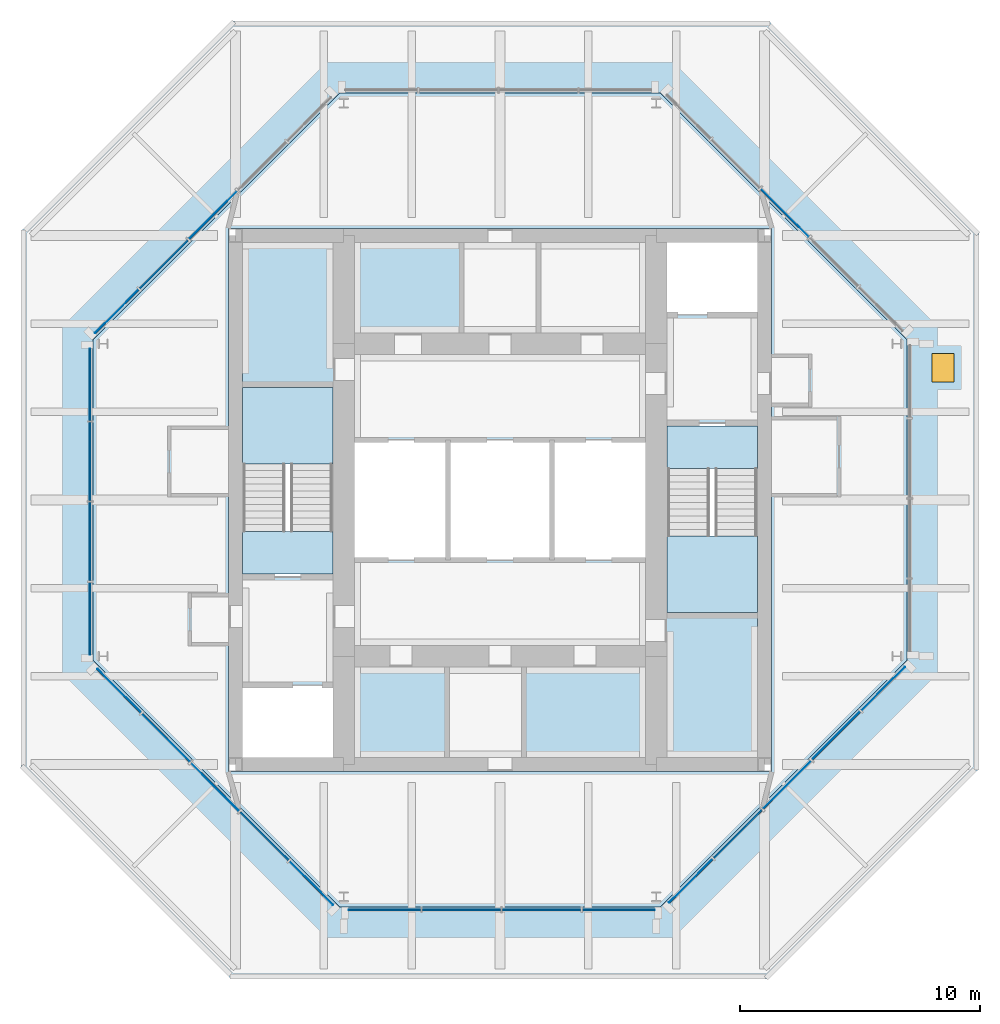
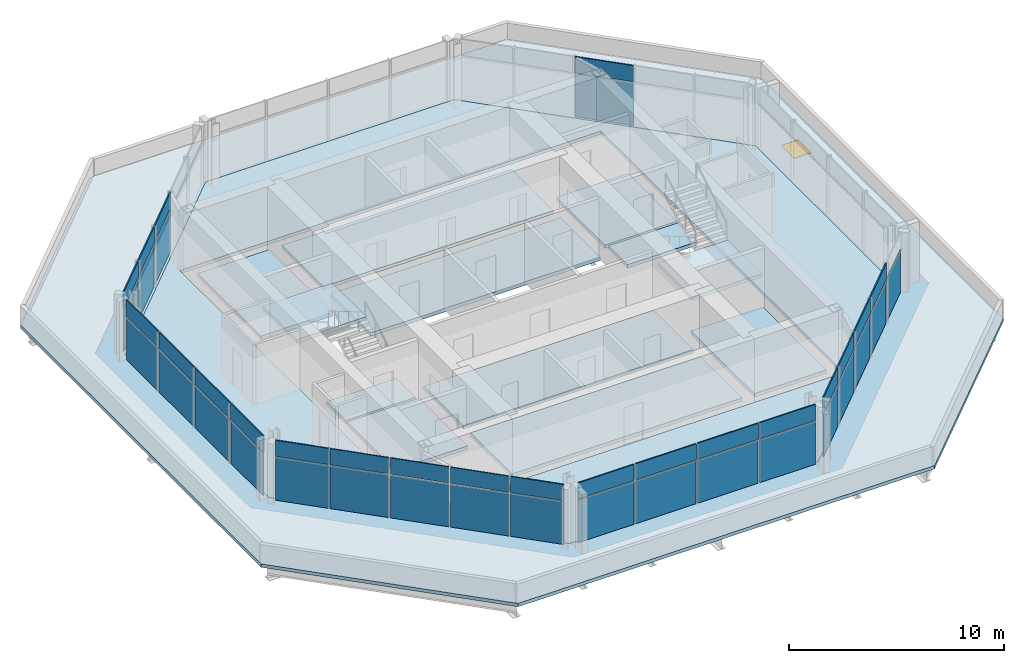
# One storey, part 6 of 10: 43 plates, 14 slabs, 1 window, 1 opening, 8 elements without a shape of their own.
"""IFC4 building model written with IfcOpenShell, lengths in metres."""

from ifc_helpers import new_model, si_unit, direction, frame, origin, origin_2d, place, context, subcontext, project, spatial, polyline, rectangle, outline, extrude, material, layer, layer_set, type_object, element, fill, aggregate, save


model = new_model("IFC4")

# Units and contexts
model_context = context("Model", 3, precision=1e-05, world=origin(), true_north=direction((0.0, 1.0)))
body_context = subcontext(model_context, "Body", "Model", "MODEL_VIEW")
ifc_project = project(units=[si_unit("LENGTHUNIT", "METRE"), si_unit("AREAUNIT", "SQUARE_METRE"), si_unit("VOLUMEUNIT", "CUBIC_METRE"), si_unit("PLANEANGLEUNIT", "RADIAN"), si_unit("MASSUNIT", "GRAM", prefix="KILO")], contexts=[model_context])

# Site, building, storey
site_placement = place(None, origin())
site = spatial("IfcSite", under=ifc_project, at=site_placement, CompositionType="ELEMENT")
building_placement = place(site_placement, origin())
building = spatial("IfcBuilding", under=site, at=building_placement, Name="Trevanion Tower", CompositionType="ELEMENT")
storey_placement = place(building_placement, frame((0.0, 0.0, 263.199951171875)))
storey = spatial("IfcBuildingStorey", under=building, at=storey_placement, Name="L64", CompositionType="ELEMENT", Elevation=263.199951171875)

# Curtain wall, plate
ifc_material_1 = material(Name="Aluminium and glass", Category="aluminium")
curtain_wall_type = type_object("IfcCurtainWallType", Name="CW4 curtain wall", PredefinedType="USERDEFINED", material=ifc_material_1)
curtain_wall_1_placement = place(storey_placement, origin())
curtain_wall_1 = element("IfcCurtainWall", 1, at=curtain_wall_1_placement, inside=storey, type_object=curtain_wall_type, Name="CW4 L64 1", ObjectType="UNITISED CURTAIN WALL", PredefinedType="USERDEFINED")
ifc_material_2 = material(Name="Aluminium spandrel panel", Category="aluminium")
ifc_layer_1 = layer(ifc_material_2, 0.06005859375)
ifc_layer_set_1 = layer_set([ifc_layer_1], Name="CW4 spandrel panel")
plate_type_1 = type_object("IfcPlateType", Name="CW4 spandrel panel", PredefinedType="CURTAIN_PANEL", material=ifc_layer_set_1)
plate_1_placement = place(storey_placement, frame((11.843017578125, 11.934814453125, 2.49755859375), z_axis=(0.0, 0.0, 1.0), x_axis=(-0.707106781187, 0.707106781187, 0.0)))
plate_1 = element("IfcPlate", 2, at=plate_1_placement, type_object=plate_type_1, Name="CW4 panel 3.2", PredefinedType="CURTAIN_PANEL", context=body_context, shape_type="SweptSolid", body=[
    extrude(rectangle(XDim=2.818603515625, YDim=0.06005859375, at=origin_2d()), origin(), (0.0, 0.0, 1.0), 0.91259765625),
])

# Curtain wall, plates
curtain_wall_2_placement = place(storey_placement, origin())
curtain_wall_2 = element("IfcCurtainWall", 3, at=curtain_wall_2_placement, inside=storey, type_object=curtain_wall_type, Name="CW4 L64 3", ObjectType="UNITISED CURTAIN WALL", PredefinedType="USERDEFINED")
plate_2_placement = place(storey_placement, frame((-11.934814453125, 11.843017578125, 2.49755859375), z_axis=(0.0, 0.0, 1.0), x_axis=(-0.707106781187, -0.707106781187, 0.0)))
plate_2 = element("IfcPlate", 4, at=plate_2_placement, type_object=plate_type_1, Name="CW4 panel 3.2", PredefinedType="CURTAIN_PANEL", context=body_context, shape_type="SweptSolid", body=[
    extrude(rectangle(XDim=2.818603515625, YDim=0.06005859375, at=origin_2d()), origin(), (0.0, 0.0, 1.0), 0.91259765625),
])
plate_3_placement = place(storey_placement, frame((-13.98095703125, 9.796875, 2.49755859375), z_axis=(0.0, 0.0, 1.0), x_axis=(-0.707106781187, -0.707106781187, 0.0)))
plate_3 = element("IfcPlate", 5, at=plate_3_placement, type_object=plate_type_1, Name="CW4 panel 4.2", PredefinedType="CURTAIN_PANEL", context=body_context, shape_type="SweptSolid", body=[
    extrude(rectangle(XDim=2.818603515625, YDim=0.06005859375, at=origin_2d()), origin(), (0.0, 0.0, 1.0), 0.91259765625),
])
plate_4_placement = place(storey_placement, frame((-15.93408203125, 7.84375, 2.49755859375), z_axis=(0.0, 0.0, 1.0), x_axis=(-0.707106781187, -0.707106781187, 0.0)))
plate_4 = element("IfcPlate", 6, at=plate_4_placement, type_object=plate_type_1, Name="CW4 panel 5.2", PredefinedType="CURTAIN_PANEL", context=body_context, shape_type="SweptSolid", body=[
    extrude(rectangle(XDim=2.55615234375, YDim=0.06005859375, at=origin_2d()), origin(), (0.0, 0.0, 1.0), 0.91259765625),
])

curtain_wall_3_placement = place(storey_placement, origin())
curtain_wall_3 = element("IfcCurtainWall", 7, at=curtain_wall_3_placement, inside=storey, type_object=curtain_wall_type, Name="CW4 L64 4", ObjectType="UNITISED CURTAIN WALL", PredefinedType="USERDEFINED")
plate_5_placement = place(storey_placement, frame((-17.050048828125, 4.80078125, 2.49755859375), z_axis=(0.0, 0.0, 1.0), x_axis=(0.0, -1.0, 0.0)))
plate_5 = element("IfcPlate", 8, at=plate_5_placement, type_object=plate_type_1, Name="CW4 panel 1.2", PredefinedType="CURTAIN_PANEL", context=body_context, shape_type="SweptSolid", body=[
    extrude(rectangle(XDim=2.993896484375, YDim=0.06005859375, at=origin_2d()), origin(), (0.0, 0.0, 1.0), 0.91259765625),
])
plate_6_placement = place(storey_placement, frame((-17.050048828125, 1.6005859375, 2.49755859375), z_axis=(0.0, 0.0, 1.0), x_axis=(0.0, -1.0, 0.0)))
plate_6 = element("IfcPlate", 9, at=plate_6_placement, type_object=plate_type_1, Name="CW4 panel 2.2", PredefinedType="CURTAIN_PANEL", context=body_context, shape_type="SweptSolid", body=[
    extrude(rectangle(XDim=3.25634765625, YDim=0.06005859375, at=origin_2d()), origin(), (0.0, 0.0, 1.0), 0.91259765625),
])
plate_7_placement = place(storey_placement, frame((-17.050048828125, -1.730712890625, 2.49755859375), z_axis=(0.0, 0.0, 1.0), x_axis=(0.0, -1.0, 0.0)))
plate_7 = element("IfcPlate", 10, at=plate_7_placement, type_object=plate_type_1, Name="CW4 panel 3.2", PredefinedType="CURTAIN_PANEL", context=body_context, shape_type="SweptSolid", body=[
    extrude(rectangle(XDim=3.25634765625, YDim=0.06005859375, at=origin_2d()), origin(), (0.0, 0.0, 1.0), 0.91259765625),
])
plate_8_placement = place(storey_placement, frame((-17.050048828125, -4.930908203125, 2.49755859375), z_axis=(0.0, 0.0, 1.0), x_axis=(0.0, -1.0, 0.0)))
plate_8 = element("IfcPlate", 11, at=plate_8_placement, type_object=plate_type_1, Name="CW4 panel 4.2", PredefinedType="CURTAIN_PANEL", context=body_context, shape_type="SweptSolid", body=[
    extrude(rectangle(XDim=2.993896484375, YDim=0.06005859375, at=origin_2d()), origin(), (0.0, 0.0, 1.0), 0.91259765625),
])

curtain_wall_4_placement = place(storey_placement, origin())
curtain_wall_4 = element("IfcCurtainWall", 12, at=curtain_wall_4_placement, inside=storey, type_object=curtain_wall_type, Name="CW4 L64 5", ObjectType="UNITISED CURTAIN WALL", PredefinedType="USERDEFINED")
plate_9_placement = place(storey_placement, frame((-15.84228515625, -7.935546875, 2.49755859375), z_axis=(0.0, 0.0, 1.0), x_axis=(0.707106781187, -0.707106781187, 0.0)))
plate_9 = element("IfcPlate", 13, at=plate_9_placement, type_object=plate_type_1, Name="CW4 panel 1.2", PredefinedType="CURTAIN_PANEL", context=body_context, shape_type="SweptSolid", body=[
    extrude(rectangle(XDim=2.55615234375, YDim=0.06005859375, at=origin_2d()), origin(), (0.0, 0.0, 1.0), 0.91259765625),
])
plate_10_placement = place(storey_placement, frame((-13.888916015625, -9.888916015625, 2.49755859375), z_axis=(0.0, 0.0, 1.0), x_axis=(0.707106781187, -0.707106781187, 0.0)))
plate_10 = element("IfcPlate", 14, at=plate_10_placement, type_object=plate_type_1, Name="CW4 panel 2.2", PredefinedType="CURTAIN_PANEL", context=body_context, shape_type="SweptSolid", body=[
    extrude(rectangle(XDim=2.818603515625, YDim=0.06005859375, at=origin_2d()), origin(), (0.0, 0.0, 1.0), 0.91259765625),
])
plate_11_placement = place(storey_placement, frame((-11.843017578125, -11.934814453125, 2.49755859375), z_axis=(0.0, 0.0, 1.0), x_axis=(0.707106781187, -0.707106781187, 0.0)))
plate_11 = element("IfcPlate", 15, at=plate_11_placement, type_object=plate_type_1, Name="CW4 panel 3.2", PredefinedType="CURTAIN_PANEL", context=body_context, shape_type="SweptSolid", body=[
    extrude(rectangle(XDim=2.818603515625, YDim=0.06005859375, at=origin_2d()), origin(), (0.0, 0.0, 1.0), 0.91259765625),
])
plate_12_placement = place(storey_placement, frame((-9.796875, -13.98095703125, 2.49755859375), z_axis=(0.0, 0.0, 1.0), x_axis=(0.707106781187, -0.707106781187, 0.0)))
plate_12 = element("IfcPlate", 16, at=plate_12_placement, type_object=plate_type_1, Name="CW4 panel 4.2", PredefinedType="CURTAIN_PANEL", context=body_context, shape_type="SweptSolid", body=[
    extrude(rectangle(XDim=2.818603515625, YDim=0.06005859375, at=origin_2d()), origin(), (0.0, 0.0, 1.0), 0.91259765625),
])
plate_13_placement = place(storey_placement, frame((-7.84375, -15.93408203125, 2.49755859375), z_axis=(0.0, 0.0, 1.0), x_axis=(0.707106781187, -0.707106781187, 0.0)))
plate_13 = element("IfcPlate", 17, at=plate_13_placement, type_object=plate_type_1, Name="CW4 panel 5.2", PredefinedType="CURTAIN_PANEL", context=body_context, shape_type="SweptSolid", body=[
    extrude(rectangle(XDim=2.55615234375, YDim=0.06005859375, at=origin_2d()), origin(), (0.0, 0.0, 1.0), 0.91259765625),
])

curtain_wall_5_placement = place(storey_placement, origin())
curtain_wall_5 = element("IfcCurtainWall", 18, at=curtain_wall_5_placement, inside=storey, type_object=curtain_wall_type, Name="CW4 L64 6", ObjectType="UNITISED CURTAIN WALL", PredefinedType="USERDEFINED")
plate_14_placement = place(storey_placement, frame((-4.80078125, -17.050048828125, 2.49755859375), z_axis=(0.0, 0.0, 1.0), x_axis=(1.0, 0.0, 0.0)))
plate_14 = element("IfcPlate", 19, at=plate_14_placement, type_object=plate_type_1, Name="CW4 panel 1.2", PredefinedType="CURTAIN_PANEL", context=body_context, shape_type="SweptSolid", body=[
    extrude(rectangle(XDim=2.993896484375, YDim=0.06005859375, at=origin_2d()), origin(), (0.0, 0.0, 1.0), 0.91259765625),
])
plate_15_placement = place(storey_placement, frame((-1.6005859375, -17.050048828125, 2.49755859375), z_axis=(0.0, 0.0, 1.0), x_axis=(1.0, 0.0, 0.0)))
plate_15 = element("IfcPlate", 20, at=plate_15_placement, type_object=plate_type_1, Name="CW4 panel 2.2", PredefinedType="CURTAIN_PANEL", context=body_context, shape_type="SweptSolid", body=[
    extrude(rectangle(XDim=3.25634765625, YDim=0.06005859375, at=origin_2d()), origin(), (0.0, 0.0, 1.0), 0.91259765625),
])
plate_16_placement = place(storey_placement, frame((1.730712890625, -17.050048828125, 2.49755859375), z_axis=(0.0, 0.0, 1.0), x_axis=(1.0, 0.0, 0.0)))
plate_16 = element("IfcPlate", 21, at=plate_16_placement, type_object=plate_type_1, Name="CW4 panel 3.2", PredefinedType="CURTAIN_PANEL", context=body_context, shape_type="SweptSolid", body=[
    extrude(rectangle(XDim=3.25634765625, YDim=0.06005859375, at=origin_2d()), origin(), (0.0, 0.0, 1.0), 0.91259765625),
])
plate_17_placement = place(storey_placement, frame((4.930908203125, -17.050048828125, 2.49755859375), z_axis=(0.0, 0.0, 1.0), x_axis=(1.0, 0.0, 0.0)))
plate_17 = element("IfcPlate", 22, at=plate_17_placement, type_object=plate_type_1, Name="CW4 panel 4.2", PredefinedType="CURTAIN_PANEL", context=body_context, shape_type="SweptSolid", body=[
    extrude(rectangle(XDim=2.993896484375, YDim=0.06005859375, at=origin_2d()), origin(), (0.0, 0.0, 1.0), 0.91259765625),
])

curtain_wall_6_placement = place(storey_placement, origin())
curtain_wall_6 = element("IfcCurtainWall", 23, at=curtain_wall_6_placement, inside=storey, type_object=curtain_wall_type, Name="CW4 L64 7", ObjectType="UNITISED CURTAIN WALL", PredefinedType="USERDEFINED")
plate_18_placement = place(storey_placement, frame((7.935546875, -15.84228515625, 2.49755859375), z_axis=(0.0, 0.0, 1.0), x_axis=(0.707106781187, 0.707106781187, 0.0)))
plate_18 = element("IfcPlate", 24, at=plate_18_placement, type_object=plate_type_1, Name="CW4 panel 1.2", PredefinedType="CURTAIN_PANEL", context=body_context, shape_type="SweptSolid", body=[
    extrude(rectangle(XDim=2.55615234375, YDim=0.06005859375, at=origin_2d()), origin(), (0.0, 0.0, 1.0), 0.91259765625),
])
plate_19_placement = place(storey_placement, frame((9.888916015625, -13.888916015625, 2.49755859375), z_axis=(0.0, 0.0, 1.0), x_axis=(0.707106781187, 0.707106781187, 0.0)))
plate_19 = element("IfcPlate", 25, at=plate_19_placement, type_object=plate_type_1, Name="CW4 panel 2.2", PredefinedType="CURTAIN_PANEL", context=body_context, shape_type="SweptSolid", body=[
    extrude(rectangle(XDim=2.818603515625, YDim=0.06005859375, at=origin_2d()), origin(), (0.0, 0.0, 1.0), 0.91259765625),
])
plate_20_placement = place(storey_placement, frame((11.934814453125, -11.843017578125, 2.49755859375), z_axis=(0.0, 0.0, 1.0), x_axis=(0.707106781187, 0.707106781187, 0.0)))
plate_20 = element("IfcPlate", 26, at=plate_20_placement, type_object=plate_type_1, Name="CW4 panel 3.2", PredefinedType="CURTAIN_PANEL", context=body_context, shape_type="SweptSolid", body=[
    extrude(rectangle(XDim=2.818603515625, YDim=0.06005859375, at=origin_2d()), origin(), (0.0, 0.0, 1.0), 0.91259765625),
])
plate_21_placement = place(storey_placement, frame((13.98095703125, -9.796875, 2.49755859375), z_axis=(0.0, 0.0, 1.0), x_axis=(0.707106781187, 0.707106781187, 0.0)))
plate_21 = element("IfcPlate", 27, at=plate_21_placement, type_object=plate_type_1, Name="CW4 panel 4.2", PredefinedType="CURTAIN_PANEL", context=body_context, shape_type="SweptSolid", body=[
    extrude(rectangle(XDim=2.818603515625, YDim=0.06005859375, at=origin_2d()), origin(), (0.0, 0.0, 1.0), 0.91259765625),
])

# Plate
ifc_material_3 = material(Name="Insulating glass unit", Category="glass")
ifc_layer_2 = layer(ifc_material_3, 0.028076171875)
ifc_layer_set_2 = layer_set([ifc_layer_2], Name="CW4 vision panel")
plate_type_2 = type_object("IfcPlateType", Name="CW4 vision panel", PredefinedType="CURTAIN_PANEL", material=ifc_layer_set_2)
plate_22_placement = place(storey_placement, frame((11.843017578125, 11.934814453125, -0.114990234375), z_axis=(0.0, 0.0, 1.0), x_axis=(-0.707106781187, 0.707106781187, 0.0)))
plate_22 = element("IfcPlate", 28, at=plate_22_placement, type_object=plate_type_2, Name="CW4 panel 3.1", PredefinedType="CURTAIN_PANEL", context=body_context, shape_type="SweptSolid", body=[
    extrude(rectangle(XDim=2.818603515625, YDim=0.028076171875, at=origin_2d()), origin(), (0.0, 0.0, 1.0), 2.53759765625),
])

aggregate(curtain_wall_1, [plate_22, plate_1])

plate_23_placement = place(storey_placement, frame((-11.934814453125, 11.843017578125, -0.114990234375), z_axis=(0.0, 0.0, 1.0), x_axis=(-0.707106781187, -0.707106781187, 0.0)))
plate_23 = element("IfcPlate", 29, at=plate_23_placement, type_object=plate_type_2, Name="CW4 panel 3.1", PredefinedType="CURTAIN_PANEL", context=body_context, shape_type="SweptSolid", body=[
    extrude(rectangle(XDim=2.818603515625, YDim=0.028076171875, at=origin_2d()), origin(), (0.0, 0.0, 1.0), 2.53759765625),
])

plate_24_placement = place(storey_placement, frame((-13.98095703125, 9.796875, -0.114990234375), z_axis=(0.0, 0.0, 1.0), x_axis=(-0.707106781187, -0.707106781187, 0.0)))
plate_24 = element("IfcPlate", 30, at=plate_24_placement, type_object=plate_type_2, Name="CW4 panel 4.1", PredefinedType="CURTAIN_PANEL", context=body_context, shape_type="SweptSolid", body=[
    extrude(rectangle(XDim=2.818603515625, YDim=0.028076171875, at=origin_2d()), origin(), (0.0, 0.0, 1.0), 2.53759765625),
])

plate_25_placement = place(storey_placement, frame((-15.93408203125, 7.84375, -0.114990234375), z_axis=(0.0, 0.0, 1.0), x_axis=(-0.707106781187, -0.707106781187, 0.0)))
plate_25 = element("IfcPlate", 31, at=plate_25_placement, type_object=plate_type_2, Name="CW4 panel 5.1", PredefinedType="CURTAIN_PANEL", context=body_context, shape_type="SweptSolid", body=[
    extrude(rectangle(XDim=2.55615234375, YDim=0.028076171875, at=origin_2d()), origin(), (0.0, 0.0, 1.0), 2.53759765625),
])

aggregate(curtain_wall_2, [plate_23, plate_2, plate_24, plate_3, plate_25, plate_4])

plate_26_placement = place(storey_placement, frame((-17.050048828125, 4.80078125, -0.114990234375), z_axis=(0.0, 0.0, 1.0), x_axis=(0.0, -1.0, 0.0)))
plate_26 = element("IfcPlate", 32, at=plate_26_placement, type_object=plate_type_2, Name="CW4 panel 1.1", PredefinedType="CURTAIN_PANEL", context=body_context, shape_type="SweptSolid", body=[
    extrude(rectangle(XDim=2.993896484375, YDim=0.028076171875, at=origin_2d()), origin(), (0.0, 0.0, 1.0), 2.53759765625),
])

plate_27_placement = place(storey_placement, frame((-17.050048828125, 1.6005859375, -0.114990234375), z_axis=(0.0, 0.0, 1.0), x_axis=(0.0, -1.0, 0.0)))
plate_27 = element("IfcPlate", 33, at=plate_27_placement, type_object=plate_type_2, Name="CW4 panel 2.1", PredefinedType="CURTAIN_PANEL", context=body_context, shape_type="SweptSolid", body=[
    extrude(rectangle(XDim=3.25634765625, YDim=0.028076171875, at=origin_2d()), origin(), (0.0, 0.0, 1.0), 2.53759765625),
])

plate_28_placement = place(storey_placement, frame((-17.050048828125, -1.730712890625, -0.114990234375), z_axis=(0.0, 0.0, 1.0), x_axis=(0.0, -1.0, 0.0)))
plate_28 = element("IfcPlate", 34, at=plate_28_placement, type_object=plate_type_2, Name="CW4 panel 3.1", PredefinedType="CURTAIN_PANEL", context=body_context, shape_type="SweptSolid", body=[
    extrude(rectangle(XDim=3.25634765625, YDim=0.028076171875, at=origin_2d()), origin(), (0.0, 0.0, 1.0), 2.53759765625),
])

plate_29_placement = place(storey_placement, frame((-17.050048828125, -4.930908203125, -0.114990234375), z_axis=(0.0, 0.0, 1.0), x_axis=(0.0, -1.0, 0.0)))
plate_29 = element("IfcPlate", 35, at=plate_29_placement, type_object=plate_type_2, Name="CW4 panel 4.1", PredefinedType="CURTAIN_PANEL", context=body_context, shape_type="SweptSolid", body=[
    extrude(rectangle(XDim=2.993896484375, YDim=0.028076171875, at=origin_2d()), origin(), (0.0, 0.0, 1.0), 2.53759765625),
])

aggregate(curtain_wall_3, [plate_26, plate_5, plate_27, plate_6, plate_28, plate_7, plate_29, plate_8])

plate_30_placement = place(storey_placement, frame((-15.84228515625, -7.935546875, -0.114990234375), z_axis=(0.0, 0.0, 1.0), x_axis=(0.707106781187, -0.707106781187, 0.0)))
plate_30 = element("IfcPlate", 36, at=plate_30_placement, type_object=plate_type_2, Name="CW4 panel 1.1", PredefinedType="CURTAIN_PANEL", context=body_context, shape_type="SweptSolid", body=[
    extrude(rectangle(XDim=2.55615234375, YDim=0.028076171875, at=origin_2d()), origin(), (0.0, 0.0, 1.0), 2.53759765625),
])

plate_31_placement = place(storey_placement, frame((-13.888916015625, -9.888916015625, -0.114990234375), z_axis=(0.0, 0.0, 1.0), x_axis=(0.707106781187, -0.707106781187, 0.0)))
plate_31 = element("IfcPlate", 37, at=plate_31_placement, type_object=plate_type_2, Name="CW4 panel 2.1", PredefinedType="CURTAIN_PANEL", context=body_context, shape_type="SweptSolid", body=[
    extrude(rectangle(XDim=2.818603515625, YDim=0.028076171875, at=origin_2d()), origin(), (0.0, 0.0, 1.0), 2.53759765625),
])

plate_32_placement = place(storey_placement, frame((-11.843017578125, -11.934814453125, -0.114990234375), z_axis=(0.0, 0.0, 1.0), x_axis=(0.707106781187, -0.707106781187, 0.0)))
plate_32 = element("IfcPlate", 38, at=plate_32_placement, type_object=plate_type_2, Name="CW4 panel 3.1", PredefinedType="CURTAIN_PANEL", context=body_context, shape_type="SweptSolid", body=[
    extrude(rectangle(XDim=2.818603515625, YDim=0.028076171875, at=origin_2d()), origin(), (0.0, 0.0, 1.0), 2.53759765625),
])

plate_33_placement = place(storey_placement, frame((-9.796875, -13.98095703125, -0.114990234375), z_axis=(0.0, 0.0, 1.0), x_axis=(0.707106781187, -0.707106781187, 0.0)))
plate_33 = element("IfcPlate", 39, at=plate_33_placement, type_object=plate_type_2, Name="CW4 panel 4.1", PredefinedType="CURTAIN_PANEL", context=body_context, shape_type="SweptSolid", body=[
    extrude(rectangle(XDim=2.818603515625, YDim=0.028076171875, at=origin_2d()), origin(), (0.0, 0.0, 1.0), 2.53759765625),
])

plate_34_placement = place(storey_placement, frame((-7.84375, -15.93408203125, -0.114990234375), z_axis=(0.0, 0.0, 1.0), x_axis=(0.707106781187, -0.707106781187, 0.0)))
plate_34 = element("IfcPlate", 40, at=plate_34_placement, type_object=plate_type_2, Name="CW4 panel 5.1", PredefinedType="CURTAIN_PANEL", context=body_context, shape_type="SweptSolid", body=[
    extrude(rectangle(XDim=2.55615234375, YDim=0.028076171875, at=origin_2d()), origin(), (0.0, 0.0, 1.0), 2.53759765625),
])

aggregate(curtain_wall_4, [plate_30, plate_9, plate_31, plate_10, plate_32, plate_11, plate_33, plate_12, plate_34, plate_13])

plate_35_placement = place(storey_placement, frame((-4.80078125, -17.050048828125, -0.114990234375), z_axis=(0.0, 0.0, 1.0), x_axis=(1.0, 0.0, 0.0)))
plate_35 = element("IfcPlate", 41, at=plate_35_placement, type_object=plate_type_2, Name="CW4 panel 1.1", PredefinedType="CURTAIN_PANEL", context=body_context, shape_type="SweptSolid", body=[
    extrude(rectangle(XDim=2.993896484375, YDim=0.028076171875, at=origin_2d()), origin(), (0.0, 0.0, 1.0), 2.53759765625),
])

plate_36_placement = place(storey_placement, frame((-1.6005859375, -17.050048828125, -0.114990234375), z_axis=(0.0, 0.0, 1.0), x_axis=(1.0, 0.0, 0.0)))
plate_36 = element("IfcPlate", 42, at=plate_36_placement, type_object=plate_type_2, Name="CW4 panel 2.1", PredefinedType="CURTAIN_PANEL", context=body_context, shape_type="SweptSolid", body=[
    extrude(rectangle(XDim=3.25634765625, YDim=0.028076171875, at=origin_2d()), origin(), (0.0, 0.0, 1.0), 2.53759765625),
])

plate_37_placement = place(storey_placement, frame((1.730712890625, -17.050048828125, -0.114990234375), z_axis=(0.0, 0.0, 1.0), x_axis=(1.0, 0.0, 0.0)))
plate_37 = element("IfcPlate", 43, at=plate_37_placement, type_object=plate_type_2, Name="CW4 panel 3.1", PredefinedType="CURTAIN_PANEL", context=body_context, shape_type="SweptSolid", body=[
    extrude(rectangle(XDim=3.25634765625, YDim=0.028076171875, at=origin_2d()), origin(), (0.0, 0.0, 1.0), 2.53759765625),
])

plate_38_placement = place(storey_placement, frame((4.930908203125, -17.050048828125, -0.114990234375), z_axis=(0.0, 0.0, 1.0), x_axis=(1.0, 0.0, 0.0)))
plate_38 = element("IfcPlate", 44, at=plate_38_placement, type_object=plate_type_2, Name="CW4 panel 4.1", PredefinedType="CURTAIN_PANEL", context=body_context, shape_type="SweptSolid", body=[
    extrude(rectangle(XDim=2.993896484375, YDim=0.028076171875, at=origin_2d()), origin(), (0.0, 0.0, 1.0), 2.53759765625),
])

aggregate(curtain_wall_5, [plate_35, plate_14, plate_36, plate_15, plate_37, plate_16, plate_38, plate_17])

plate_39_placement = place(storey_placement, frame((7.935546875, -15.84228515625, -0.114990234375), z_axis=(0.0, 0.0, 1.0), x_axis=(0.707106781187, 0.707106781187, 0.0)))
plate_39 = element("IfcPlate", 45, at=plate_39_placement, type_object=plate_type_2, Name="CW4 panel 1.1", PredefinedType="CURTAIN_PANEL", context=body_context, shape_type="SweptSolid", body=[
    extrude(rectangle(XDim=2.55615234375, YDim=0.028076171875, at=origin_2d()), origin(), (0.0, 0.0, 1.0), 2.53759765625),
])

plate_40_placement = place(storey_placement, frame((9.888916015625, -13.888916015625, -0.114990234375), z_axis=(0.0, 0.0, 1.0), x_axis=(0.707106781187, 0.707106781187, 0.0)))
plate_40 = element("IfcPlate", 46, at=plate_40_placement, type_object=plate_type_2, Name="CW4 panel 2.1", PredefinedType="CURTAIN_PANEL", context=body_context, shape_type="SweptSolid", body=[
    extrude(rectangle(XDim=2.818603515625, YDim=0.028076171875, at=origin_2d()), origin(), (0.0, 0.0, 1.0), 2.53759765625),
])

plate_41_placement = place(storey_placement, frame((11.934814453125, -11.843017578125, -0.114990234375), z_axis=(0.0, 0.0, 1.0), x_axis=(0.707106781187, 0.707106781187, 0.0)))
plate_41 = element("IfcPlate", 47, at=plate_41_placement, type_object=plate_type_2, Name="CW4 panel 3.1", PredefinedType="CURTAIN_PANEL", context=body_context, shape_type="SweptSolid", body=[
    extrude(rectangle(XDim=2.818603515625, YDim=0.028076171875, at=origin_2d()), origin(), (0.0, 0.0, 1.0), 2.53759765625),
])

plate_42_placement = place(storey_placement, frame((13.98095703125, -9.796875, -0.114990234375), z_axis=(0.0, 0.0, 1.0), x_axis=(0.707106781187, 0.707106781187, 0.0)))
plate_42 = element("IfcPlate", 48, at=plate_42_placement, type_object=plate_type_2, Name="CW4 panel 4.1", PredefinedType="CURTAIN_PANEL", context=body_context, shape_type="SweptSolid", body=[
    extrude(rectangle(XDim=2.818603515625, YDim=0.028076171875, at=origin_2d()), origin(), (0.0, 0.0, 1.0), 2.53759765625),
])

plate_43_placement = place(storey_placement, frame((15.93408203125, -7.84375, -0.114990234375), z_axis=(0.0, 0.0, 1.0), x_axis=(0.707106781187, 0.707106781187, 0.0)))
plate_43 = element("IfcPlate", 49, at=plate_43_placement, type_object=plate_type_2, Name="CW4 panel 5.1", PredefinedType="CURTAIN_PANEL", context=body_context, shape_type="SweptSolid", body=[
    extrude(rectangle(XDim=2.55615234375, YDim=0.028076171875, at=origin_2d()), origin(), (0.0, 0.0, 1.0), 2.53759765625),
])

aggregate(curtain_wall_6, [plate_39, plate_18, plate_40, plate_19, plate_41, plate_20, plate_42, plate_21, plate_43])

# Slab, opening, window
ifc_material_4 = material(Name="Concrete 5,000 psi on composite metal deck", Category="concrete")
ifc_layer_3 = layer(ifc_material_4, 0.18994140625)
ifc_layer_set_3 = layer_set([ifc_layer_3], Name="RS1 composite roof 190")
slab_type_1 = type_object("IfcSlabType", Name="RS1 composite roof 190", PredefinedType="ROOF", material=ifc_layer_set_3)
slab_1_placement = place(storey_placement, frame((0.0, 0.0, -0.18994140625)))
slab_1 = element("IfcSlab", 50, at=slab_1_placement, inside=storey, type_object=slab_type_1, Name="RS1 L64 setback roof", PredefinedType="ROOF", context=body_context, shape_type="SweptSolid", body=[
    extrude(outline(polyline([(19.919921875, -11.174072265625), (19.919921875, 11.174072265625), (11.174072265625, 19.919921875), (-11.174072265625, 19.919921875), (-19.919921875, 11.174072265625), (-19.919921875, -11.174072265625), (-11.174072265625, -19.919921875), (11.174072265625, -19.919921875), (19.919921875, -11.174072265625)]), holes=[polyline([(6.674072265625, -16.919921875), (-6.674072265625, -16.919921875), (-16.919921875, -6.674072265625), (-16.919921875, 6.674072265625), (-6.674072265625, 16.919921875), (6.674072265625, 16.919921875), (16.919921875, 6.674072265625), (16.919921875, -6.674072265625), (6.674072265625, -16.919921875)])]), origin(), (0.0, 0.0, 1.0), 0.18994140625),
])
opening_placement = place(slab_1_placement, frame((18.419921875, 5.5, 0.0)))
opening = element("IfcOpeningElement", 51, at=opening_placement, cuts=slab_1, Name="Opening RH1", PredefinedType="OPENING", context=body_context, shape_type="SweptSolid", body=[
    extrude(rectangle(XDim=0.89990234375, YDim=1.199951171875, at=origin_2d()), origin(), (0.0, 0.0, 1.0), 0.18994140625),
])
ifc_material_5 = material(Name="Galvanised steel, insulated", Category="steel")
window_type = type_object("IfcWindowType", Name="RH1 roof access hatch 900x1200", PartitioningType="SINGLE_PANEL", PredefinedType="SKYLIGHT", material=ifc_material_5)
window_placement = place(opening_placement, frame((0.0, 0.0, 0.139892578125)))
window = element("IfcWindow", 52, at=window_placement, inside=storey, type_object=window_type, Name="RH1 L64", OverallHeight=1.199951171875, OverallWidth=0.89990234375, PartitioningType="SINGLE_PANEL", PredefinedType="SKYLIGHT", context=body_context, shape_type="SweptSolid", body=[
    extrude(rectangle(XDim=0.89990234375, YDim=1.199951171875, at=origin_2d()), origin(), (0.0, 0.0, 1.0), 0.050048828125),
])
fill(opening, window)

# Slabs
ifc_material_6 = material(Name="Concrete 5,000 psi on composite metal deck", Category="concrete")
ifc_layer_4 = layer(ifc_material_6, 0.18994140625)
ifc_layer_set_4 = layer_set([ifc_layer_4], Name="SL1 composite floor 190")
slab_type_2 = type_object("IfcSlabType", Name="SL1 composite floor 190", PredefinedType="FLOOR", material=ifc_layer_set_4)
slab_2_placement = place(storey_placement, frame((0.0, 0.0, -0.18994140625)))
element("IfcSlab", 53, at=slab_2_placement, inside=storey, type_object=slab_type_2, Name="SL1 L64 floor", PredefinedType="FLOOR", context=body_context, shape_type="SweptSolid", body=[
    extrude(outline(polyline([(16.919921875, -6.674072265625), (16.919921875, 6.674072265625), (6.674072265625, 16.919921875), (-6.674072265625, 16.919921875), (-16.919921875, 6.674072265625), (-16.919921875, -6.674072265625), (-6.674072265625, -16.919921875), (6.674072265625, -16.919921875), (16.919921875, -6.674072265625)]), holes=[polyline([(11.300048828125, -11.300048828125), (11.300048828125, 11.300048828125), (-11.300048828125, 11.300048828125), (-11.300048828125, -11.300048828125), (11.300048828125, -11.300048828125)])]), origin(), (0.0, 0.0, 1.0), 0.18994140625),
])
ifc_material_7 = material(Name="Concrete 5,000 psi", Category="concrete")
ifc_layer_5 = layer(ifc_material_7, 0.199951171875)
ifc_layer_set_5 = layer_set([ifc_layer_5], Name="SL2 core floor 200")
slab_type_3 = type_object("IfcSlabType", Name="SL2 core floor 200", PredefinedType="FLOOR", material=ifc_layer_set_5)
slab_3_placement = place(storey_placement, frame((0.0, 0.0, -0.199951171875)))
element("IfcSlab", 54, at=slab_3_placement, inside=storey, type_object=slab_type_3, Name="SL2 L64 core floor 1", PredefinedType="FLOOR", context=body_context, shape_type="SweptSolid", body=[
    extrude(outline(polyline([(6.169921875, -10.699951171875), (-6.169921875, -10.699951171875), (-6.169921875, -6.830078125), (6.169921875, -6.830078125), (6.169921875, -10.699951171875)])), origin(), (0.0, 0.0, 1.0), 0.199951171875),
])
slab_4_placement = place(storey_placement, frame((0.0, 0.0, -0.199951171875)))
element("IfcSlab", 55, at=slab_4_placement, inside=storey, type_object=slab_type_3, Name="SL2 L64 core floor 2", PredefinedType="FLOOR", context=body_context, shape_type="SweptSolid", body=[
    extrude(outline(polyline([(6.830078125, -4.804931640625), (10.699951171875, -4.804931640625), (10.699951171875, -10.699951171875), (6.830078125, -10.699951171875), (6.830078125, -4.804931640625)])), origin(), (0.0, 0.0, 1.0), 0.199951171875),
])
slab_5_placement = place(storey_placement, frame((0.0, 0.0, -0.199951171875)))
element("IfcSlab", 56, at=slab_5_placement, inside=storey, type_object=slab_type_3, Name="SL2 L64 core floor 3", PredefinedType="FLOOR", context=body_context, shape_type="SweptSolid", body=[
    extrude(outline(polyline([(-6.830078125, -3.205078125), (-6.830078125, -7.695068359375), (-10.699951171875, -7.695068359375), (-10.699951171875, -3.205078125), (-6.830078125, -3.205078125)])), origin(), (0.0, 0.0, 1.0), 0.199951171875),
])
slab_6_placement = place(storey_placement, frame((0.0, 0.0, -0.199951171875)))
element("IfcSlab", 57, at=slab_6_placement, inside=storey, type_object=slab_type_3, Name="SL2 L64 core floor 4", PredefinedType="FLOOR", context=body_context, shape_type="SweptSolid", body=[
    extrude(outline(polyline([(6.169921875, -6.169921875), (-6.169921875, -6.169921875), (-6.169921875, -2.47998046875), (6.169921875, -2.47998046875), (6.169921875, -6.169921875)])), origin(), (0.0, 0.0, 1.0), 0.199951171875),
])
slab_7_placement = place(storey_placement, frame((0.0, 0.0, -0.199951171875)))
element("IfcSlab", 58, at=slab_7_placement, inside=storey, type_object=slab_type_3, Name="SL2 L64 core floor 5", PredefinedType="FLOOR", context=body_context, shape_type="SweptSolid", body=[
    extrude(outline(polyline([(6.169921875, 2.47998046875), (-6.169921875, 2.47998046875), (-6.169921875, 6.169921875), (6.169921875, 6.169921875), (6.169921875, 2.47998046875)])), origin(), (0.0, 0.0, 1.0), 0.199951171875),
])
slab_8_placement = place(storey_placement, frame((0.0, 0.0, -0.199951171875)))
element("IfcSlab", 59, at=slab_8_placement, inside=storey, type_object=slab_type_3, Name="SL2 L64 core floor 6", PredefinedType="FLOOR", context=body_context, shape_type="SweptSolid", body=[
    extrude(outline(polyline([(6.830078125, 3.205078125), (6.830078125, 7.695068359375), (10.699951171875, 7.695068359375), (10.699951171875, 3.205078125), (6.830078125, 3.205078125)])), origin(), (0.0, 0.0, 1.0), 0.199951171875),
])
slab_9_placement = place(storey_placement, frame((0.0, 0.0, -0.199951171875)))
element("IfcSlab", 60, at=slab_9_placement, inside=storey, type_object=slab_type_3, Name="SL2 L64 core floor 7", PredefinedType="FLOOR", context=body_context, shape_type="SweptSolid", body=[
    extrude(outline(polyline([(-6.830078125, 4.804931640625), (-10.699951171875, 4.804931640625), (-10.699951171875, 10.699951171875), (-6.830078125, 10.699951171875), (-6.830078125, 4.804931640625)])), origin(), (0.0, 0.0, 1.0), 0.199951171875),
])
slab_10_placement = place(storey_placement, frame((0.0, 0.0, -0.199951171875)))
element("IfcSlab", 61, at=slab_10_placement, inside=storey, type_object=slab_type_3, Name="SL2 L64 core floor 8", PredefinedType="FLOOR", context=body_context, shape_type="SweptSolid", body=[
    extrude(outline(polyline([(6.169921875, 6.830078125), (-6.169921875, 6.830078125), (-6.169921875, 10.699951171875), (6.169921875, 10.699951171875), (6.169921875, 6.830078125)])), origin(), (0.0, 0.0, 1.0), 0.199951171875),
])

# Stair, slabs
ifc_material_8 = material(Name="Concrete 5,000 psi on steel stringers", Category="concrete")
stair_type = type_object("IfcStairType", Name="ST stair", PredefinedType="HALF_TURN_STAIR", material=ifc_material_8)
stair_1_placement = place(storey_placement, origin())
stair_1 = element("IfcStair", 62, at=stair_1_placement, inside=storey, type_object=stair_type, Name="ST1 L64", PredefinedType="HALF_TURN_STAIR")
ifc_material_9 = material(Name="Concrete 5,000 psi in steel pan", Category="concrete")
ifc_layer_6 = layer(ifc_material_9, 0.199951171875)
ifc_layer_set_6 = layer_set([ifc_layer_6], Name="STL stair landing 200")
slab_type_4 = type_object("IfcSlabType", Name="STL stair landing 200", PredefinedType="LANDING", material=ifc_layer_set_6)
slab_11_placement = place(storey_placement, frame((0.0, 0.0, -0.199951171875)))
slab_11 = element("IfcSlab", 63, at=slab_11_placement, type_object=slab_type_4, Name="ST1 landing 1", PredefinedType="LANDING", context=body_context, shape_type="SweptSolid", body=[
    extrude(outline(polyline([(6.949951171875, 1.300048828125), (10.699951171875, 1.300048828125), (10.699951171875, 3.074951171875), (6.949951171875, 3.074951171875), (6.949951171875, 1.300048828125)])), origin(), (0.0, 0.0, 1.0), 0.199951171875),
])
slab_12_placement = place(storey_placement, frame((0.0, 0.0, 1.60009765625)))
slab_12 = element("IfcSlab", 64, at=slab_12_placement, type_object=slab_type_4, Name="ST1 landing 2", PredefinedType="LANDING", context=body_context, shape_type="SweptSolid", body=[
    extrude(outline(polyline([(6.949951171875, -4.675048828125), (10.699951171875, -4.675048828125), (10.699951171875, -1.5), (6.949951171875, -1.5), (6.949951171875, -4.675048828125)])), origin(), (0.0, 0.0, 1.0), 0.199951171875),
])
aggregate(stair_1, [slab_11, slab_12])

stair_2_placement = place(storey_placement, origin())
stair_2 = element("IfcStair", 65, at=stair_2_placement, inside=storey, type_object=stair_type, Name="ST2 L64", PredefinedType="HALF_TURN_STAIR")
slab_13_placement = place(storey_placement, frame((0.0, 0.0, -0.199951171875)))
slab_13 = element("IfcSlab", 66, at=slab_13_placement, type_object=slab_type_4, Name="ST2 landing 1", PredefinedType="LANDING", context=body_context, shape_type="SweptSolid", body=[
    extrude(outline(polyline([(-6.949951171875, -1.300048828125), (-10.699951171875, -1.300048828125), (-10.699951171875, -3.074951171875), (-6.949951171875, -3.074951171875), (-6.949951171875, -1.300048828125)])), origin(), (0.0, 0.0, 1.0), 0.199951171875),
])
slab_14_placement = place(storey_placement, frame((0.0, 0.0, 1.60009765625)))
slab_14 = element("IfcSlab", 67, at=slab_14_placement, type_object=slab_type_4, Name="ST2 landing 2", PredefinedType="LANDING", context=body_context, shape_type="SweptSolid", body=[
    extrude(outline(polyline([(-6.949951171875, 4.675048828125), (-10.699951171875, 4.675048828125), (-10.699951171875, 1.5), (-6.949951171875, 1.5), (-6.949951171875, 4.675048828125)])), origin(), (0.0, 0.0, 1.0), 0.199951171875),
])
aggregate(stair_2, [slab_13, slab_14])

save(model, "model.ifc")
